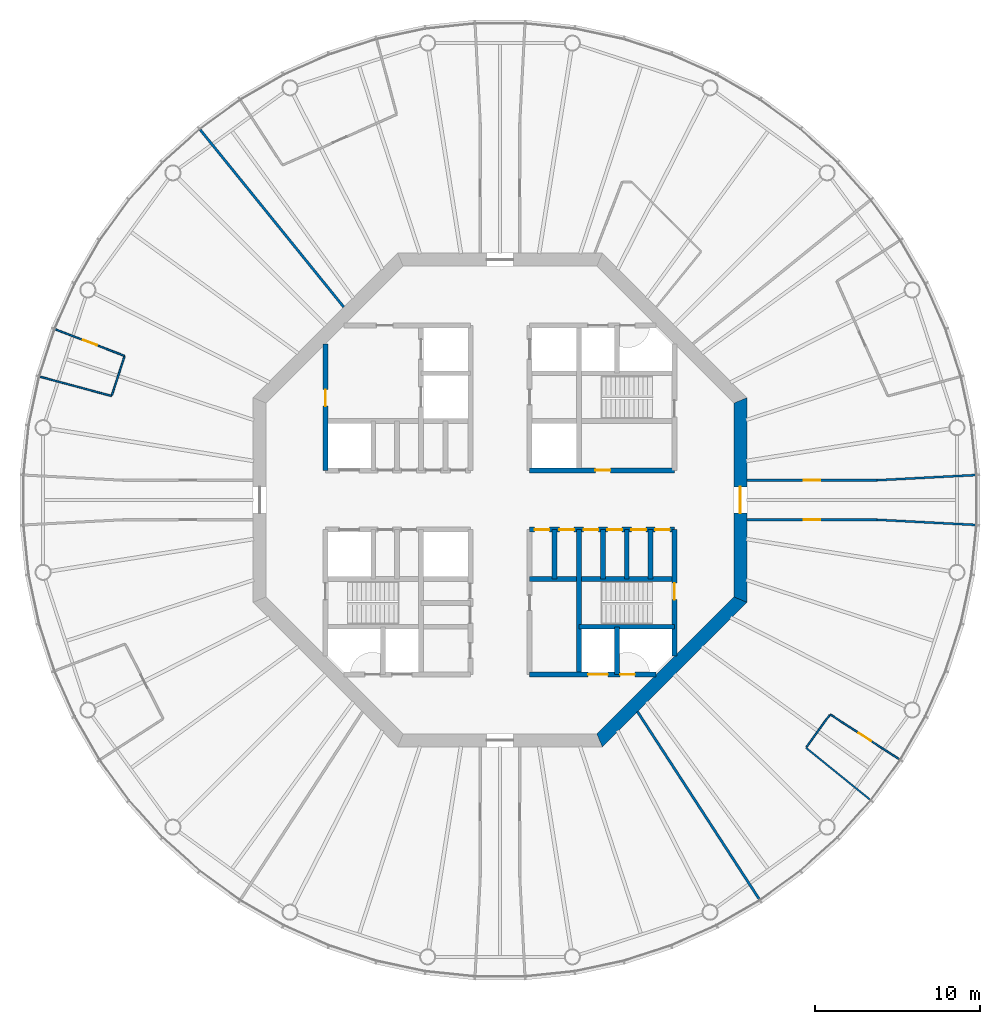
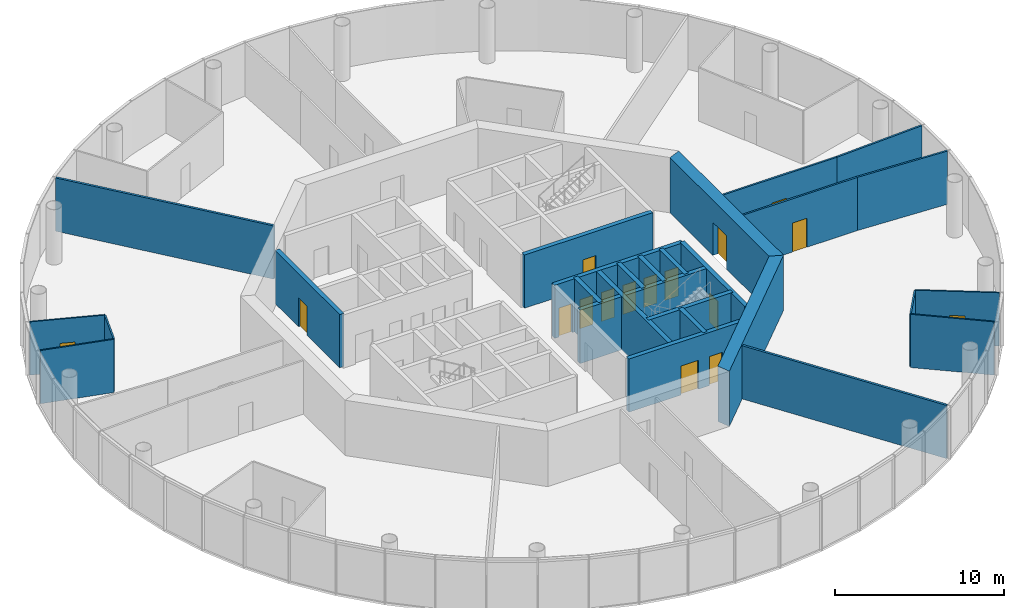
# One storey, part 4 of 13: 27 walls, 16 doors, 16 openings.
"""IFC4 building model written with IfcOpenShell, lengths in metres."""

from ifc_helpers import new_model, si_unit, direction, frame, frame_2d, origin, place, context, subcontext, project, spatial, polyline, rectangle, outline, extrude, material, layer, layer_set, type_object, element, fill, save


model = new_model("IFC4")

# Units and contexts
model_context = context("Model", 3, precision=1e-05, world=origin(), true_north=direction((0.0, 1.0)))
body_context = subcontext(model_context, "Body", "Model", "MODEL_VIEW")
ifc_project = project(units=[si_unit("LENGTHUNIT", "METRE"), si_unit("AREAUNIT", "SQUARE_METRE"), si_unit("VOLUMEUNIT", "CUBIC_METRE"), si_unit("PLANEANGLEUNIT", "RADIAN"), si_unit("MASSUNIT", "GRAM", prefix="KILO")], contexts=[model_context])

# Site, building, storey
site_placement = place(None, origin())
site = spatial("IfcSite", under=ifc_project, at=site_placement, CompositionType="ELEMENT")
building_placement = place(site_placement, origin())
building = spatial("IfcBuilding", under=site, at=building_placement, Name="Entoto Ring Tower", CompositionType="ELEMENT")
storey_placement = place(building_placement, frame((0.0, 0.0, 318.0)))
storey = spatial("IfcBuildingStorey", under=building, at=storey_placement, Name="L73", CompositionType="ELEMENT", Elevation=318.0)

# Wall, opening, door
ifc_material_1 = material(Name="Concrete C40/50", Category="concrete")
ifc_layer_1 = layer(ifc_material_1, 0.300048828125)
ifc_layer_set_1 = layer_set([ifc_layer_1], Name="Concrete C40/50")
wall_type_1 = type_object("IfcWallType", Name="Core enclosure wall 300 mm reinforced concrete", PredefinedType="SOLIDWALL", material=ifc_layer_set_1)
wall_1_placement = place(storey_placement, frame((100.60009765625, 70.518310546875, 0.0), z_axis=(0.0, 0.0, 1.0), x_axis=(0.0, 1.0, 0.0)))
wall_1 = element("IfcWall", 1, at=wall_1_placement, inside=storey, type_object=wall_type_1, Name="wall-L73-001", PredefinedType="SOLIDWALL", context=body_context, shape_type="SweptSolid", body=[
    extrude(rectangle(XDim=7.681640625, YDim=0.300048828125, at=frame_2d((3.8408203125, 0.0))), origin(), (0.0, 0.0, 1.0), 3.85009765625),
])
opening_1_placement = place(wall_1_placement, frame((3.431884765625, 0.0, 0.0)))
opening_1 = element("IfcOpeningElement", 2, at=opening_1_placement, cuts=wall_1, Name="Opening K-31", PredefinedType="OPENING", context=body_context, shape_type="SweptSolid", body=[
    extrude(rectangle(XDim=1.0, YDim=2.10009765625, at=frame_2d((0.5, 1.050048828125))), frame((0.0, 0.16015625, 0.0), z_axis=(0.0, -1.0, 0.0), x_axis=(1.0, 0.0, 0.0)), (0.0, 0.0, 1.0), 0.320068359375),
])
ifc_material_2 = material(Name="Steel door leaf, fire rated", Category="steel")
ifc_layer_2 = layer(ifc_material_2, 0.050048828125)
ifc_layer_set_2 = layer_set([ifc_layer_2], Name="Steel door leaf, fire rated")
door_type_1 = type_object("IfcDoorType", Name="Fire door FD60 1000 x 2100 single leaf", OperationType="NOTDEFINED", PredefinedType="DOOR", material=ifc_layer_set_2)
door_1_placement = place(opening_1_placement, origin())
door_1 = element("IfcDoor", 3, at=door_1_placement, inside=storey, type_object=door_type_1, Name="Door K-31", OperationType="SINGLE_SWING_RIGHT", OverallHeight=2.10009765625, OverallWidth=1.0, PredefinedType="DOOR", context=body_context, shape_type="SweptSolid", body=[
    extrude(rectangle(XDim=1.0, YDim=2.10009765625, at=frame_2d((0.5, 1.050048828125))), frame((0.0, 0.02490234375, 0.0), z_axis=(0.0, -1.0, 0.0), x_axis=(1.0, 0.0, 0.0)), (0.0, 0.0, 1.0), 0.050048828125),
])
fill(opening_1, door_1)

# Walls
for number, where, z_axis, x_axis, name in (
    (4, (99.14990234375, 75.199951171875, 0.0), (0.0, 0.0, 1.0), (0.0, 1.0, 0.0), "wall-L73-003"),
    (5, (97.699951171875, 75.199951171875, 0.0), (0.0, 0.0, 1.0), (0.0, 1.0, 0.0), "wall-L73-004"),
):
    element("IfcWall", number, at=place(storey_placement, frame(where, z_axis=z_axis, x_axis=x_axis)), inside=storey, type_object=wall_type_1, Name=name, PredefinedType="SOLIDWALL", context=body_context, shape_type="SweptSolid", body=[
        extrude(rectangle(XDim=3.0, YDim=0.300048828125, at=frame_2d((1.5, 0.0))), origin(), (0.0, 0.0, 1.0), 3.85009765625),
    ])
wall_2_placement = place(storey_placement, frame((97.10009765625, 69.39990234375, 0.0), z_axis=(0.0, 0.0, 1.0), x_axis=(0.0, 1.0, 0.0)))
element("IfcWall", 6, at=wall_2_placement, inside=storey, type_object=wall_type_1, Name="wall-L73-005", PredefinedType="SOLIDWALL", context=body_context, shape_type="SweptSolid", body=[
    extrude(rectangle(XDim=2.900146484375, YDim=0.300048828125, at=frame_2d((1.4501953125, 0.0))), origin(), (0.0, 0.0, 1.0), 3.85009765625),
])
wall_3_placement = place(storey_placement, frame((96.25, 75.199951171875, 0.0), z_axis=(0.0, 0.0, 1.0), x_axis=(0.0, 1.0, 0.0)))
element("IfcWall", 7, at=wall_3_placement, inside=storey, type_object=wall_type_1, Name="wall-L73-007", PredefinedType="SOLIDWALL", context=body_context, shape_type="SweptSolid", body=[
    extrude(rectangle(XDim=3.0, YDim=0.300048828125, at=frame_2d((1.5, 0.0))), origin(), (0.0, 0.0, 1.0), 3.85009765625),
])
wall_4_placement = place(storey_placement, frame((94.800048828125, 69.39990234375, 0.0), z_axis=(0.0, 0.0, 1.0), x_axis=(0.0, 1.0, 0.0)))
element("IfcWall", 8, at=wall_4_placement, inside=storey, type_object=wall_type_1, Name="wall-L73-008", PredefinedType="SOLIDWALL", context=body_context, shape_type="SweptSolid", body=[
    extrude(rectangle(XDim=8.800048828125, YDim=0.300048828125, at=frame_2d((4.39990234375, 0.0))), origin(), (0.0, 0.0, 1.0), 3.85009765625),
])
wall_5_placement = place(storey_placement, frame((93.300048828125, 75.199951171875, 0.0), z_axis=(0.0, 0.0, 1.0), x_axis=(0.0, 1.0, 0.0)))
element("IfcWall", 9, at=wall_5_placement, inside=storey, type_object=wall_type_1, Name="wall-L73-010", PredefinedType="SOLIDWALL", context=body_context, shape_type="SweptSolid", body=[
    extrude(rectangle(XDim=3.0, YDim=0.300048828125, at=frame_2d((1.5, 0.0))), origin(), (0.0, 0.0, 1.0), 3.85009765625),
])

# Wall, opening, door
wall_6_placement = place(storey_placement, frame((79.39990234375, 81.800048828125, 0.0), z_axis=(0.0, 0.0, 1.0), x_axis=(0.0, 1.0, 0.0)))
wall_6 = element("IfcWall", 10, at=wall_6_placement, inside=storey, type_object=wall_type_1, Name="wall-L73-024", PredefinedType="SOLIDWALL", context=body_context, shape_type="SweptSolid", body=[
    extrude(rectangle(XDim=7.681640625, YDim=0.300048828125, at=frame_2d((3.8408203125, 0.0))), origin(), (0.0, 0.0, 1.0), 3.85009765625),
])
opening_2_placement = place(wall_6_placement, frame((3.89990234375, 0.0, 0.0)))
opening_2 = element("IfcOpeningElement", 11, at=opening_2_placement, cuts=wall_6, Name="Opening K-35", PredefinedType="OPENING", context=body_context, shape_type="SweptSolid", body=[
    extrude(rectangle(XDim=1.0, YDim=2.10009765625, at=frame_2d((0.5, 1.050048828125))), frame((0.0, 0.16015625, 0.0), z_axis=(0.0, -1.0, 0.0), x_axis=(1.0, 0.0, 0.0)), (0.0, 0.0, 1.0), 0.320068359375),
])
door_2_placement = place(opening_2_placement, frame((1.0, 0.0, 0.0), z_axis=(0.0, 0.0, 1.0), x_axis=(-1.0, 0.0, 0.0)))
door_2 = element("IfcDoor", 12, at=door_2_placement, inside=storey, type_object=door_type_1, Name="Door K-35", OperationType="SINGLE_SWING_RIGHT", OverallHeight=2.10009765625, OverallWidth=1.0, PredefinedType="DOOR", context=body_context, shape_type="SweptSolid", body=[
    extrude(rectangle(XDim=1.0, YDim=2.10009765625, at=frame_2d((0.5, 1.050048828125))), frame((0.0, 0.02490234375, 0.0), z_axis=(0.0, -1.0, 0.0), x_axis=(1.0, 0.0, 0.0)), (0.0, 0.0, 1.0), 0.050048828125),
])
fill(opening_2, door_2)

# Wall, openings, doors
wall_7_placement = place(storey_placement, frame((91.800048828125, 69.39990234375, 0.0), z_axis=(0.0, 0.0, 1.0), x_axis=(1.0, 0.0, 0.0)))
wall_7 = element("IfcWall", 13, at=wall_7_placement, inside=storey, type_object=wall_type_1, Name="wall-L73-026", PredefinedType="SOLIDWALL", context=body_context, shape_type="SweptSolid", body=[
    extrude(rectangle(XDim=7.681640625, YDim=0.300048828125, at=frame_2d((3.8408203125, 0.0))), origin(), (0.0, 0.0, 1.0), 3.85009765625),
])
opening_3_placement = place(wall_7_placement, frame((3.550048828125, 0.0, 0.0)))
opening_3 = element("IfcOpeningElement", 14, at=opening_3_placement, cuts=wall_7, Name="Opening LD", PredefinedType="OPENING", context=body_context, shape_type="SweptSolid", body=[
    extrude(rectangle(XDim=1.199951171875, YDim=2.10009765625, at=frame_2d((0.60009765625, 1.050048828125))), frame((0.0, 0.16015625, 0.0), z_axis=(0.0, -1.0, 0.0), x_axis=(1.0, 0.0, 0.0)), (0.0, 0.0, 1.0), 0.320068359375),
])
opening_4_placement = place(wall_7_placement, frame((5.5, 0.0, 0.0)))
opening_4 = element("IfcOpeningElement", 15, at=opening_4_placement, cuts=wall_7, Name="Opening K-34", PredefinedType="OPENING", context=body_context, shape_type="SweptSolid", body=[
    extrude(rectangle(XDim=0.89990234375, YDim=2.10009765625, at=frame_2d((0.449951171875, 1.050048828125))), frame((0.0, 0.16015625, 0.0), z_axis=(0.0, -1.0, 0.0), x_axis=(1.0, 0.0, 0.0)), (0.0, 0.0, 1.0), 0.320068359375),
])
ifc_material_3 = material(Name="Steel and glass door leaf", Category="steel")
ifc_layer_3 = layer(ifc_material_3, 0.050048828125)
ifc_layer_set_3 = layer_set([ifc_layer_3], Name="Steel and glass door leaf")
door_type_2 = type_object("IfcDoorType", Name="Landing door 1200 x 2100 sliding", OperationType="DOUBLE_DOOR_SLIDING", PredefinedType="DOOR", material=ifc_layer_set_3)
door_3_placement = place(opening_3_placement, origin())
door_3 = element("IfcDoor", 16, at=door_3_placement, inside=storey, type_object=door_type_2, Name="Landing door LB2-HR", OperationType="SLIDING_TO_RIGHT", OverallHeight=2.10009765625, OverallWidth=1.199951171875, PredefinedType="DOOR", context=body_context, shape_type="SweptSolid", body=[
    extrude(rectangle(XDim=1.199951171875, YDim=2.10009765625, at=frame_2d((0.60009765625, 1.050048828125))), frame((0.0, 0.02490234375, 0.0), z_axis=(0.0, -1.0, 0.0), x_axis=(1.0, 0.0, 0.0)), (0.0, 0.0, 1.0), 0.050048828125),
])
fill(opening_3, door_3)
ifc_material_4 = material(Name="Steel door leaf, fire rated", Category="steel")
ifc_layer_4 = layer(ifc_material_4, 0.050048828125)
ifc_layer_set_4 = layer_set([ifc_layer_4], Name="Steel door leaf, fire rated")
door_type_3 = type_object("IfcDoorType", Name="Riser door FD60 900 x 2100 single leaf", OperationType="NOTDEFINED", PredefinedType="DOOR", material=ifc_layer_set_4)
door_4_placement = place(opening_4_placement, origin())
door_4 = element("IfcDoor", 17, at=door_4_placement, inside=storey, type_object=door_type_3, Name="Door K-34", OperationType="SINGLE_SWING_LEFT", OverallHeight=2.10009765625, OverallWidth=0.89990234375, PredefinedType="DOOR", context=body_context, shape_type="SweptSolid", body=[
    extrude(rectangle(XDim=0.89990234375, YDim=2.10009765625, at=frame_2d((0.449951171875, 1.050048828125))), frame((0.0, 0.02490234375, 0.0), z_axis=(0.0, -1.0, 0.0), x_axis=(1.0, 0.0, 0.0)), (0.0, 0.0, 1.0), 0.050048828125),
])
fill(opening_4, door_4)

# Walls
wall_8_placement = place(storey_placement, frame((94.800048828125, 72.300048828125, 0.0), z_axis=(0.0, 0.0, 1.0), x_axis=(1.0, 0.0, 0.0)))
element("IfcWall", 18, at=wall_8_placement, inside=storey, type_object=wall_type_1, Name="wall-L73-028", PredefinedType="SOLIDWALL", context=body_context, shape_type="SweptSolid", body=[
    extrude(rectangle(XDim=5.800048828125, YDim=0.300048828125, at=frame_2d((2.89990234375, 0.0))), origin(), (0.0, 0.0, 1.0), 3.85009765625),
])
wall_9_placement = place(storey_placement, frame((91.800048828125, 75.199951171875, 0.0), z_axis=(0.0, 0.0, 1.0), x_axis=(1.0, 0.0, 0.0)))
element("IfcWall", 19, at=wall_9_placement, inside=storey, type_object=wall_type_1, Name="wall-L73-031", PredefinedType="SOLIDWALL", context=body_context, shape_type="SweptSolid", body=[
    extrude(rectangle(XDim=8.800048828125, YDim=0.300048828125, at=frame_2d((4.39990234375, 0.0))), origin(), (0.0, 0.0, 1.0), 3.85009765625),
])

# Wall, openings, doors
wall_10_placement = place(storey_placement, frame((91.800048828125, 78.199951171875, 0.0), z_axis=(0.0, 0.0, 1.0), x_axis=(1.0, 0.0, 0.0)))
wall_10 = element("IfcWall", 20, at=wall_10_placement, inside=storey, type_object=wall_type_1, Name="wall-L73-033", PredefinedType="SOLIDWALL", context=body_context, shape_type="SweptSolid", body=[
    extrude(rectangle(XDim=8.800048828125, YDim=0.300048828125, at=frame_2d((4.39990234375, 0.0))), origin(), (0.0, 0.0, 1.0), 3.85009765625),
])
opening_5_placement = place(wall_10_placement, frame((3.27490234375, 0.0, 0.0)))
opening_5 = element("IfcOpeningElement", 21, at=opening_5_placement, cuts=wall_10, Name="Opening K-14", PredefinedType="OPENING", context=body_context, shape_type="SweptSolid", body=[
    extrude(rectangle(XDim=0.89990234375, YDim=2.10009765625, at=frame_2d((0.449951171875, 1.050048828125))), frame((0.0, 0.16015625, 0.0), z_axis=(0.0, -1.0, 0.0), x_axis=(1.0, 0.0, 0.0)), (0.0, 0.0, 1.0), 0.320068359375),
])
opening_6_placement = place(wall_10_placement, frame((4.72509765625, 0.0, 0.0)))
opening_6 = element("IfcOpeningElement", 22, at=opening_6_placement, cuts=wall_10, Name="Opening K-15", PredefinedType="OPENING", context=body_context, shape_type="SweptSolid", body=[
    extrude(rectangle(XDim=0.89990234375, YDim=2.10009765625, at=frame_2d((0.449951171875, 1.050048828125))), frame((0.0, 0.16015625, 0.0), z_axis=(0.0, -1.0, 0.0), x_axis=(1.0, 0.0, 0.0)), (0.0, 0.0, 1.0), 0.320068359375),
])
opening_7_placement = place(wall_10_placement, frame((6.175048828125, 0.0, 0.0)))
opening_7 = element("IfcOpeningElement", 23, at=opening_7_placement, cuts=wall_10, Name="Opening K-16", PredefinedType="OPENING", context=body_context, shape_type="SweptSolid", body=[
    extrude(rectangle(XDim=0.89990234375, YDim=2.10009765625, at=frame_2d((0.449951171875, 1.050048828125))), frame((0.0, 0.16015625, 0.0), z_axis=(0.0, -1.0, 0.0), x_axis=(1.0, 0.0, 0.0)), (0.0, 0.0, 1.0), 0.320068359375),
])
opening_8_placement = place(wall_10_placement, frame((7.625, 0.0, 0.0)))
opening_8 = element("IfcOpeningElement", 24, at=opening_8_placement, cuts=wall_10, Name="Opening K-57", PredefinedType="OPENING", context=body_context, shape_type="SweptSolid", body=[
    extrude(rectangle(XDim=0.89990234375, YDim=2.10009765625, at=frame_2d((0.449951171875, 1.050048828125))), frame((0.0, 0.16015625, 0.0), z_axis=(0.0, -1.0, 0.0), x_axis=(1.0, 0.0, 0.0)), (0.0, 0.0, 1.0), 0.320068359375),
])
opening_9_placement = place(wall_10_placement, frame((0.300048828125, 0.0, 0.0)))
opening_9 = element("IfcOpeningElement", 25, at=opening_9_placement, cuts=wall_10, Name="Opening K-79", PredefinedType="OPENING", context=body_context, shape_type="SweptSolid", body=[
    extrude(rectangle(XDim=0.89990234375, YDim=2.10009765625, at=frame_2d((0.449951171875, 1.050048828125))), frame((0.0, 0.16015625, 0.0), z_axis=(0.0, -1.0, 0.0), x_axis=(1.0, 0.0, 0.0)), (0.0, 0.0, 1.0), 0.320068359375),
])
opening_10_placement = place(wall_10_placement, frame((1.800048828125, 0.0, 0.0)))
opening_10 = element("IfcOpeningElement", 26, at=opening_10_placement, cuts=wall_10, Name="Opening K-81", PredefinedType="OPENING", context=body_context, shape_type="SweptSolid", body=[
    extrude(rectangle(XDim=0.89990234375, YDim=2.10009765625, at=frame_2d((0.449951171875, 1.050048828125))), frame((0.0, 0.16015625, 0.0), z_axis=(0.0, -1.0, 0.0), x_axis=(1.0, 0.0, 0.0)), (0.0, 0.0, 1.0), 0.320068359375),
])
ifc_material_5 = material(Name="Steel door leaf, fire rated", Category="steel")
ifc_layer_5 = layer(ifc_material_5, 0.050048828125)
ifc_layer_set_5 = layer_set([ifc_layer_5], Name="Steel door leaf, fire rated")
door_type_4 = type_object("IfcDoorType", Name="Core door 900 x 2100 single leaf", OperationType="NOTDEFINED", PredefinedType="DOOR", material=ifc_layer_set_5)
door_5_placement = place(opening_5_placement, frame((0.89990234375, 0.0, 0.0), z_axis=(0.0, 0.0, 1.0), x_axis=(-1.0, 0.0, 0.0)))
door_5 = element("IfcDoor", 27, at=door_5_placement, inside=storey, type_object=door_type_4, Name="Door K-14", OperationType="SINGLE_SWING_LEFT", OverallHeight=2.10009765625, OverallWidth=0.89990234375, PredefinedType="DOOR", context=body_context, shape_type="SweptSolid", body=[
    extrude(rectangle(XDim=0.89990234375, YDim=2.10009765625, at=frame_2d((0.449951171875, 1.050048828125))), frame((0.0, 0.02490234375, 0.0), z_axis=(0.0, -1.0, 0.0), x_axis=(1.0, 0.0, 0.0)), (0.0, 0.0, 1.0), 0.050048828125),
])
fill(opening_5, door_5)
door_6_placement = place(opening_6_placement, frame((0.89990234375, 0.0, 0.0), z_axis=(0.0, 0.0, 1.0), x_axis=(-1.0, 0.0, 0.0)))
door_6 = element("IfcDoor", 28, at=door_6_placement, inside=storey, type_object=door_type_4, Name="Door K-15", OperationType="SINGLE_SWING_RIGHT", OverallHeight=2.10009765625, OverallWidth=0.89990234375, PredefinedType="DOOR", context=body_context, shape_type="SweptSolid", body=[
    extrude(rectangle(XDim=0.89990234375, YDim=2.10009765625, at=frame_2d((0.449951171875, 1.050048828125))), frame((0.0, 0.02490234375, 0.0), z_axis=(0.0, -1.0, 0.0), x_axis=(1.0, 0.0, 0.0)), (0.0, 0.0, 1.0), 0.050048828125),
])
fill(opening_6, door_6)
door_7_placement = place(opening_7_placement, frame((0.89990234375, 0.0, 0.0), z_axis=(0.0, 0.0, 1.0), x_axis=(-1.0, 0.0, 0.0)))
door_7 = element("IfcDoor", 29, at=door_7_placement, inside=storey, type_object=door_type_4, Name="Door K-16", OperationType="SINGLE_SWING_RIGHT", OverallHeight=2.10009765625, OverallWidth=0.89990234375, PredefinedType="DOOR", context=body_context, shape_type="SweptSolid", body=[
    extrude(rectangle(XDim=0.89990234375, YDim=2.10009765625, at=frame_2d((0.449951171875, 1.050048828125))), frame((0.0, 0.02490234375, 0.0), z_axis=(0.0, -1.0, 0.0), x_axis=(1.0, 0.0, 0.0)), (0.0, 0.0, 1.0), 0.050048828125),
])
fill(opening_7, door_7)
door_8_placement = place(opening_8_placement, frame((0.89990234375, 0.0, 0.0), z_axis=(0.0, 0.0, 1.0), x_axis=(-1.0, 0.0, 0.0)))
door_8 = element("IfcDoor", 30, at=door_8_placement, inside=storey, type_object=door_type_4, Name="Door K-57", OperationType="SINGLE_SWING_RIGHT", OverallHeight=2.10009765625, OverallWidth=0.89990234375, PredefinedType="DOOR", context=body_context, shape_type="SweptSolid", body=[
    extrude(rectangle(XDim=0.89990234375, YDim=2.10009765625, at=frame_2d((0.449951171875, 1.050048828125))), frame((0.0, 0.02490234375, 0.0), z_axis=(0.0, -1.0, 0.0), x_axis=(1.0, 0.0, 0.0)), (0.0, 0.0, 1.0), 0.050048828125),
])
fill(opening_8, door_8)
door_9_placement = place(opening_9_placement, frame((0.89990234375, 0.0, 0.0), z_axis=(0.0, 0.0, 1.0), x_axis=(-1.0, 0.0, 0.0)))
door_9 = element("IfcDoor", 31, at=door_9_placement, inside=storey, type_object=door_type_4, Name="Door K-79", OperationType="SINGLE_SWING_RIGHT", OverallHeight=2.10009765625, OverallWidth=0.89990234375, PredefinedType="DOOR", context=body_context, shape_type="SweptSolid", body=[
    extrude(rectangle(XDim=0.89990234375, YDim=2.10009765625, at=frame_2d((0.449951171875, 1.050048828125))), frame((0.0, 0.02490234375, 0.0), z_axis=(0.0, -1.0, 0.0), x_axis=(1.0, 0.0, 0.0)), (0.0, 0.0, 1.0), 0.050048828125),
])
fill(opening_9, door_9)
door_10_placement = place(opening_10_placement, frame((0.89990234375, 0.0, 0.0), z_axis=(0.0, 0.0, 1.0), x_axis=(-1.0, 0.0, 0.0)))
door_10 = element("IfcDoor", 32, at=door_10_placement, inside=storey, type_object=door_type_4, Name="Door K-81", OperationType="SINGLE_SWING_RIGHT", OverallHeight=2.10009765625, OverallWidth=0.89990234375, PredefinedType="DOOR", context=body_context, shape_type="SweptSolid", body=[
    extrude(rectangle(XDim=0.89990234375, YDim=2.10009765625, at=frame_2d((0.449951171875, 1.050048828125))), frame((0.0, 0.02490234375, 0.0), z_axis=(0.0, -1.0, 0.0), x_axis=(1.0, 0.0, 0.0)), (0.0, 0.0, 1.0), 0.050048828125),
])
fill(opening_10, door_10)

# Wall, opening, door
wall_11_placement = place(storey_placement, frame((91.800048828125, 81.800048828125, 0.0), z_axis=(0.0, 0.0, 1.0), x_axis=(1.0, 0.0, 0.0)))
wall_11 = element("IfcWall", 33, at=wall_11_placement, inside=storey, type_object=wall_type_1, Name="wall-L73-035", PredefinedType="SOLIDWALL", context=body_context, shape_type="SweptSolid", body=[
    extrude(rectangle(XDim=8.800048828125, YDim=0.300048828125, at=frame_2d((4.39990234375, 0.0))), origin(), (0.0, 0.0, 1.0), 3.85009765625),
])
opening_11_placement = place(wall_11_placement, frame((4.0, 0.0, 0.0)))
opening_11 = element("IfcOpeningElement", 34, at=opening_11_placement, cuts=wall_11, Name="Opening K-11", PredefinedType="OPENING", context=body_context, shape_type="SweptSolid", body=[
    extrude(rectangle(XDim=0.89990234375, YDim=2.10009765625, at=frame_2d((0.449951171875, 1.050048828125))), frame((0.0, 0.16015625, 0.0), z_axis=(0.0, -1.0, 0.0), x_axis=(1.0, 0.0, 0.0)), (0.0, 0.0, 1.0), 0.320068359375),
])
door_11_placement = place(opening_11_placement, origin())
door_11 = element("IfcDoor", 35, at=door_11_placement, inside=storey, type_object=door_type_4, Name="Door K-11", OperationType="SINGLE_SWING_LEFT", OverallHeight=2.10009765625, OverallWidth=0.89990234375, PredefinedType="DOOR", context=body_context, shape_type="SweptSolid", body=[
    extrude(rectangle(XDim=0.89990234375, YDim=2.10009765625, at=frame_2d((0.449951171875, 1.050048828125))), frame((0.0, 0.02490234375, 0.0), z_axis=(0.0, -1.0, 0.0), x_axis=(1.0, 0.0, 0.0)), (0.0, 0.0, 1.0), 0.050048828125),
])
fill(opening_11, door_11)

ifc_material_6 = material(Name="Concrete C40/50", Category="concrete")
ifc_layer_6 = layer(ifc_material_6, 0.800048828125)
ifc_layer_set_6 = layer_set([ifc_layer_6], Name="Concrete C40/50")
wall_type_2 = type_object("IfcWallType", Name="Core shear wall 800 mm reinforced concrete C40/50", PredefinedType="SHEAR", material=ifc_layer_set_6)
wall_12_placement = place(storey_placement, frame((104.60009765625, 73.952392578125, 0.0), z_axis=(0.0, 0.0, 1.0), x_axis=(0.0, 1.0, 0.0)))
wall_12 = element("IfcWall", 36, at=wall_12_placement, inside=storey, type_object=wall_type_2, Name="wall-L73-core-0", PredefinedType="SHEAR", context=body_context, shape_type="SweptSolid", body=[
    extrude(outline(polyline([(-0.165771484375, -0.39990234375), (12.260986328125, -0.39990234375), (11.929443359375, 0.39990234375), (0.165771484375, 0.39990234375), (-0.165771484375, -0.39990234375)])), origin(), (0.0, 0.0, 1.0), 4.0),
])
opening_12_placement = place(wall_12_placement, frame((5.24755859375, 0.0, 0.0)))
opening_12 = element("IfcOpeningElement", 37, at=opening_12_placement, cuts=wall_12, Name="Opening K-01", PredefinedType="OPENING", context=body_context, shape_type="SweptSolid", body=[
    extrude(rectangle(XDim=1.60009765625, YDim=2.39990234375, at=frame_2d((0.800048828125, 1.199951171875))), frame((0.0, 0.41015625, 0.0), z_axis=(0.0, -1.0, 0.0), x_axis=(1.0, 0.0, 0.0)), (0.0, 0.0, 1.0), 0.820068359375),
])
ifc_material_7 = material(Name="Steel door leaf, fire rated", Category="steel")
ifc_layer_7 = layer(ifc_material_7, 0.050048828125)
ifc_layer_set_7 = layer_set([ifc_layer_7], Name="Steel door leaf, fire rated")
door_type_5 = type_object("IfcDoorType", Name="Entrance door FD60 1600 x 2400 double leaf", OperationType="DOUBLE_DOOR_SINGLE_SWING", PredefinedType="DOOR", material=ifc_layer_set_7)
door_12_placement = place(opening_12_placement, origin())
door_12 = element("IfcDoor", 38, at=door_12_placement, inside=storey, type_object=door_type_5, Name="Entrance door K-01", OperationType="DOUBLE_DOOR_SINGLE_SWING", OverallHeight=2.39990234375, OverallWidth=1.60009765625, PredefinedType="DOOR", context=body_context, shape_type="SweptSolid", body=[
    extrude(rectangle(XDim=1.60009765625, YDim=2.39990234375, at=frame_2d((0.800048828125, 1.199951171875))), frame((0.0, 0.02490234375, 0.0), z_axis=(0.0, -1.0, 0.0), x_axis=(1.0, 0.0, 0.0)), (0.0, 0.0, 1.0), 0.050048828125),
])
fill(opening_12, door_12)

# Wall
wall_13_placement = place(storey_placement, frame((96.047607421875, 65.39990234375, 0.0), z_axis=(0.0, 0.0, 1.0), x_axis=(0.707106781187, 0.707106781187, 0.0)))
element("IfcWall", 39, at=wall_13_placement, inside=storey, type_object=wall_type_2, Name="wall-L73-core-7", PredefinedType="SHEAR", context=body_context, shape_type="SweptSolid", body=[
    extrude(outline(polyline([(-0.165771484375, -0.39990234375), (12.2607421875, -0.39990234375), (11.92919921875, 0.39990234375), (0.165771484375, 0.39990234375), (-0.165771484375, -0.39990234375)])), origin(), (0.0, 0.0, 1.0), 4.0),
])

# Wall, opening, door
ifc_material_8 = material(Name="Fire-resisting plasterboard on steel studs", Category="steel")
ifc_layer_8 = layer(ifc_material_8, 0.125)
ifc_layer_set_8 = layer_set([ifc_layer_8], Name="Fire-resisting plasterboard on steel studs")
wall_type_3 = type_object("IfcWallType", Name="Corridor wall 125 mm one-hour plasterboard on steel studs", PredefinedType="PARTITIONING", material=ifc_layer_set_8)
wall_14_placement = place(storey_placement, frame((105.0, 78.800048828125, 0.0), z_axis=(0.0, 0.0, 1.0), x_axis=(1.0, 0.0, 0.0)))
wall_14 = element("IfcWall", 40, at=wall_14_placement, inside=storey, type_object=wall_type_3, Name="partition-L73-007", PredefinedType="PARTITIONING", context=body_context, shape_type="SweptSolid", body=[
    extrude(rectangle(XDim=7.8974609375, YDim=0.125, at=frame_2d((3.94873046875, 0.0))), origin(), (0.0, 0.0, 1.0), 3.85009765625),
])
opening_13_placement = place(wall_14_placement, frame((3.44873046875, 0.0, 0.0)))
opening_13 = element("IfcOpeningElement", 41, at=opening_13_placement, cuts=wall_14, Name="Opening A31-D13", PredefinedType="OPENING", context=body_context, shape_type="SweptSolid", body=[
    extrude(rectangle(XDim=1.0, YDim=2.10009765625, at=frame_2d((0.5, 1.050048828125))), frame((0.0, 0.072509765625, 0.0), z_axis=(0.0, -1.0, 0.0), x_axis=(1.0, 0.0, 0.0)), (0.0, 0.0, 1.0), 0.14501953125),
])
ifc_material_9 = material(Name="Fire-resisting timber door set", Category="wood")
door_type_6 = type_object("IfcDoorType", Name="Door 1000 x 2100 single leaf FD30S fire door", OperationType="NOTDEFINED", PredefinedType="DOOR", material=ifc_material_9)
door_13_placement = place(opening_13_placement, frame((1.0, 0.0, 0.0), z_axis=(0.0, 0.0, 1.0), x_axis=(-1.0, 0.0, 0.0)))
door_13 = element("IfcDoor", 42, at=door_13_placement, inside=storey, type_object=door_type_6, Name="Door A31-D13", OperationType="SINGLE_SWING_RIGHT", OverallHeight=2.10009765625, OverallWidth=1.0, PredefinedType="DOOR", context=body_context, shape_type="SweptSolid", body=[
    extrude(rectangle(XDim=1.0, YDim=2.10009765625, at=frame_2d((0.5, 1.050048828125))), frame((0.0, 0.02490234375, 0.0), z_axis=(0.0, -1.0, 0.0), x_axis=(1.0, 0.0, 0.0)), (0.0, 0.0, 1.0), 0.050048828125),
])
fill(opening_13, door_13)

wall_15_placement = place(storey_placement, frame((105.0, 81.199951171875, 0.0), z_axis=(0.0, 0.0, 1.0), x_axis=(1.0, 0.0, 0.0)))
wall_15 = element("IfcWall", 43, at=wall_15_placement, inside=storey, type_object=wall_type_3, Name="partition-L73-008", PredefinedType="PARTITIONING", context=body_context, shape_type="SweptSolid", body=[
    extrude(rectangle(XDim=7.8974609375, YDim=0.125, at=frame_2d((3.94873046875, 0.0))), origin(), (0.0, 0.0, 1.0), 3.85009765625),
])
opening_14_placement = place(wall_15_placement, frame((3.44873046875, 0.0, 0.0)))
opening_14 = element("IfcOpeningElement", 44, at=opening_14_placement, cuts=wall_15, Name="Opening A31-D01", PredefinedType="OPENING", context=body_context, shape_type="SweptSolid", body=[
    extrude(rectangle(XDim=1.0, YDim=2.10009765625, at=frame_2d((0.5, 1.050048828125))), frame((0.0, 0.072509765625, 0.0), z_axis=(0.0, -1.0, 0.0), x_axis=(1.0, 0.0, 0.0)), (0.0, 0.0, 1.0), 0.14501953125),
])
door_14_placement = place(opening_14_placement, origin())
door_14 = element("IfcDoor", 45, at=door_14_placement, inside=storey, type_object=door_type_6, Name="Door A31-D01", OperationType="SINGLE_SWING_LEFT", OverallHeight=2.10009765625, OverallWidth=1.0, PredefinedType="DOOR", context=body_context, shape_type="SweptSolid", body=[
    extrude(rectangle(XDim=1.0, YDim=2.10009765625, at=frame_2d((0.5, 1.050048828125))), frame((0.0, 0.02490234375, 0.0), z_axis=(0.0, -1.0, 0.0), x_axis=(1.0, 0.0, 0.0)), (0.0, 0.0, 1.0), 0.050048828125),
])
fill(opening_14, door_14)

# Walls
for number, where, z_axis, x_axis, name in (
    (46, (112.900634765625, 81.2001953125, 0.0), (0.0, 0.0, 1.0), (0.998629367342, 0.052339150565, 0.0), "partition-L73-015"),
    (47, (118.900390625, 78.4853515625, 0.0), (0.0, 0.0, 1.0), (-0.998629367342, 0.052339150565, 0.0), "partition-L73-016"),
):
    element("IfcWall", number, at=place(storey_placement, frame(where, z_axis=z_axis, x_axis=x_axis)), inside=storey, type_object=wall_type_3, Name=name, PredefinedType="PARTITIONING", context=body_context, shape_type="SweptSolid", body=[
        extrude(rectangle(XDim=6.008056640625, YDim=0.125, at=frame_2d((3.00390625, 0.0))), origin(), (0.0, 0.0, 1.0), 3.85009765625),
    ])

# Wall, opening, door
ifc_material_10 = material(Name="Plasterboard on steel studs", Category="steel")
ifc_layer_9 = layer(ifc_material_10, 0.10009765625)
ifc_layer_set_9 = layer_set([ifc_layer_9], Name="Plasterboard on steel studs")
wall_type_4 = type_object("IfcWallType", Name="Partition 100 mm plasterboard on steel studs", PredefinedType="PARTITIONING", material=ifc_layer_set_9)
wall_16_placement = place(storey_placement, frame((114.27099609375, 64.238037109375, 0.0), z_axis=(0.0, 0.0, 1.0), x_axis=(-0.83865092054, 0.544669288171, 0.0)))
wall_16 = element("IfcWall", 48, at=wall_16_placement, inside=storey, type_object=wall_type_4, Name="partition-L73-025", PredefinedType="PARTITIONING", context=body_context, shape_type="SweptSolid", body=[
    extrude(rectangle(XDim=5.030029296875, YDim=0.10009765625, at=frame_2d((2.51513671875, 0.0))), origin(), (0.0, 0.0, 1.0), 3.85009765625),
])
opening_15_placement = place(wall_16_placement, frame((2.06494140625, 0.0, 0.0)))
opening_15 = element("IfcOpeningElement", 49, at=opening_15_placement, cuts=wall_16, Name="Opening A31-D14", PredefinedType="OPENING", context=body_context, shape_type="SweptSolid", body=[
    extrude(rectangle(XDim=0.89990234375, YDim=2.10009765625, at=frame_2d((0.449951171875, 1.050048828125))), frame((0.0, 0.06005859375, 0.0), z_axis=(0.0, -1.0, 0.0), x_axis=(1.0, 0.0, 0.0)), (0.0, 0.0, 1.0), 0.1201171875),
])
ifc_material_11 = material(Name="Veneered timber door leaf in timber frame", Category="wood")
door_type_7 = type_object("IfcDoorType", Name="Door 900 x 2100 single leaf timber veneer", OperationType="NOTDEFINED", PredefinedType="DOOR", material=ifc_material_11)
door_15_placement = place(opening_15_placement, origin())
door_15 = element("IfcDoor", 50, at=door_15_placement, inside=storey, type_object=door_type_7, Name="Door A31-D14", OperationType="SINGLE_SWING_LEFT", OverallHeight=2.10009765625, OverallWidth=0.89990234375, PredefinedType="DOOR", context=body_context, shape_type="SweptSolid", body=[
    extrude(rectangle(XDim=0.89990234375, YDim=2.10009765625, at=frame_2d((0.449951171875, 1.050048828125))), frame((0.0, 0.02490234375, 0.0), z_axis=(0.0, -1.0, 0.0), x_axis=(1.0, 0.0, 0.0)), (0.0, 0.0, 1.0), 0.050048828125),
])
fill(opening_15, door_15)

# Wall
wall_17_placement = place(storey_placement, frame((112.490478515625, 61.78759765625, 0.0), z_axis=(0.0, 0.0, 1.0), x_axis=(-0.777156695115, 0.629307135855, 0.0)))
element("IfcWall", 51, at=wall_17_placement, inside=storey, type_object=wall_type_4, Name="partition-L73-026", PredefinedType="PARTITIONING", context=body_context, shape_type="SweptSolid", body=[
    extrude(rectangle(XDim=5.02978515625, YDim=0.10009765625, at=frame_2d((2.514892578125, 0.0))), origin(), (0.0, 0.0, 1.0), 3.85009765625),
])

# Wall, opening, door
wall_18_placement = place(storey_placement, frame((67.201904296875, 88.751220703125, 0.0), z_axis=(0.0, 0.0, 1.0), x_axis=(-0.933575113142, 0.358381791003, 0.0)))
wall_18 = element("IfcWall", 52, at=wall_18_placement, inside=storey, type_object=wall_type_4, Name="partition-L73-034", PredefinedType="PARTITIONING", context=body_context, shape_type="SweptSolid", body=[
    extrude(rectangle(XDim=4.52001953125, YDim=0.10009765625, at=frame_2d((2.260009765625, 0.0))), origin(), (0.0, 0.0, 1.0), 3.85009765625),
])
opening_16_placement = place(wall_18_placement, frame((1.81005859375, 0.0, 0.0)))
opening_16 = element("IfcOpeningElement", 53, at=opening_16_placement, cuts=wall_18, Name="Opening A31-D08", PredefinedType="OPENING", context=body_context, shape_type="SweptSolid", body=[
    extrude(rectangle(XDim=0.89990234375, YDim=2.10009765625, at=frame_2d((0.449951171875, 1.050048828125))), frame((0.0, 0.06005859375, 0.0), z_axis=(0.0, -1.0, 0.0), x_axis=(1.0, 0.0, 0.0)), (0.0, 0.0, 1.0), 0.1201171875),
])
door_16_placement = place(opening_16_placement, origin())
door_16 = element("IfcDoor", 54, at=door_16_placement, inside=storey, type_object=door_type_7, Name="Door A31-D08", OperationType="SINGLE_SWING_RIGHT", OverallHeight=2.10009765625, OverallWidth=0.89990234375, PredefinedType="DOOR", context=body_context, shape_type="SweptSolid", body=[
    extrude(rectangle(XDim=0.89990234375, YDim=2.10009765625, at=frame_2d((0.449951171875, 1.050048828125))), frame((0.0, 0.02490234375, 0.0), z_axis=(0.0, -1.0, 0.0), x_axis=(1.0, 0.0, 0.0)), (0.0, 0.0, 1.0), 0.050048828125),
])
fill(opening_16, door_16)

# Walls
wall_19_placement = place(storey_placement, frame((66.412109375, 86.3203125, 0.0), z_axis=(0.0, 0.0, 1.0), x_axis=(-0.96592225332, 0.258832379238, 0.0)))
element("IfcWall", 55, at=wall_19_placement, inside=storey, type_object=wall_type_4, Name="partition-L73-035", PredefinedType="PARTITIONING", context=body_context, shape_type="SweptSolid", body=[
    extrude(rectangle(XDim=4.52001953125, YDim=0.10009765625, at=frame_2d((2.260009765625, 0.0))), origin(), (0.0, 0.0, 1.0), 3.85009765625),
])
wall_20_placement = place(storey_placement, frame((66.427490234375, 86.367919921875, 0.0), z_axis=(0.0, 0.0, 1.0), x_axis=(0.309032129931, 0.951051598322, 0.0)))
element("IfcWall", 56, at=wall_20_placement, inside=storey, type_object=wall_type_4, Name="partition-L73-037", PredefinedType="PARTITIONING", context=body_context, shape_type="SweptSolid", body=[
    extrude(rectangle(XDim=2.4560546875, YDim=0.10009765625, at=frame_2d((1.22802734375, 0.0))), origin(), (0.0, 0.0, 1.0), 3.85009765625),
])
wall_21_placement = place(storey_placement, frame((108.61083984375, 64.993408203125, 0.0), z_axis=(0.0, 0.0, 1.0), x_axis=(0.587803101129, 0.809004026135, 0.0)))
element("IfcWall", 57, at=wall_21_placement, inside=storey, type_object=wall_type_4, Name="partition-L73-038", PredefinedType="PARTITIONING", context=body_context, shape_type="SweptSolid", body=[
    extrude(rectangle(XDim=2.40283203125, YDim=0.10009765625, at=frame_2d((1.201416015625, 0.0))), origin(), (0.0, 0.0, 1.0), 3.85009765625),
])
ifc_material_12 = material(Name="Fire-resisting acoustic plasterboard on steel studs", Category="steel")
ifc_layer_10 = layer(ifc_material_12, 0.14990234375)
ifc_layer_set_10 = layer_set([ifc_layer_10], Name="Fire-resisting acoustic plasterboard on steel studs")
wall_type_5 = type_object("IfcWallType", Name="Party wall 150 mm one-hour acoustic plasterboard on steel studs", PredefinedType="PARTITIONING", material=ifc_layer_set_10)
wall_22_placement = place(storey_placement, frame((80.50830078125, 91.721435546875, 0.0), z_axis=(0.0, 0.0, 1.0), x_axis=(-0.629324927109, 0.777142288207, 0.0)))
element("IfcWall", 58, at=wall_22_placement, inside=storey, type_object=wall_type_5, Name="partition-L73-017", PredefinedType="PARTITIONING", context=body_context, shape_type="SweptSolid", body=[
    extrude(rectangle(XDim=13.857177734375, YDim=0.14990234375, at=frame_2d((6.9287109375, 0.0))), origin(), (0.0, 0.0, 1.0), 3.85009765625),
])
wall_23_placement = place(storey_placement, frame((105.761962890625, 55.72900390625, 0.0), z_axis=(0.0, 0.0, 1.0), x_axis=(-0.544650850813, 0.838662894558, 0.0)))
element("IfcWall", 59, at=wall_23_placement, inside=storey, type_object=wall_type_5, Name="partition-L73-020", PredefinedType="PARTITIONING", context=body_context, shape_type="SweptSolid", body=[
    extrude(rectangle(XDim=13.60498046875, YDim=0.14990234375, at=frame_2d((6.802490234375, 0.0))), origin(), (0.0, 0.0, 1.0), 3.85009765625),
])

save(model, "model.ifc")
